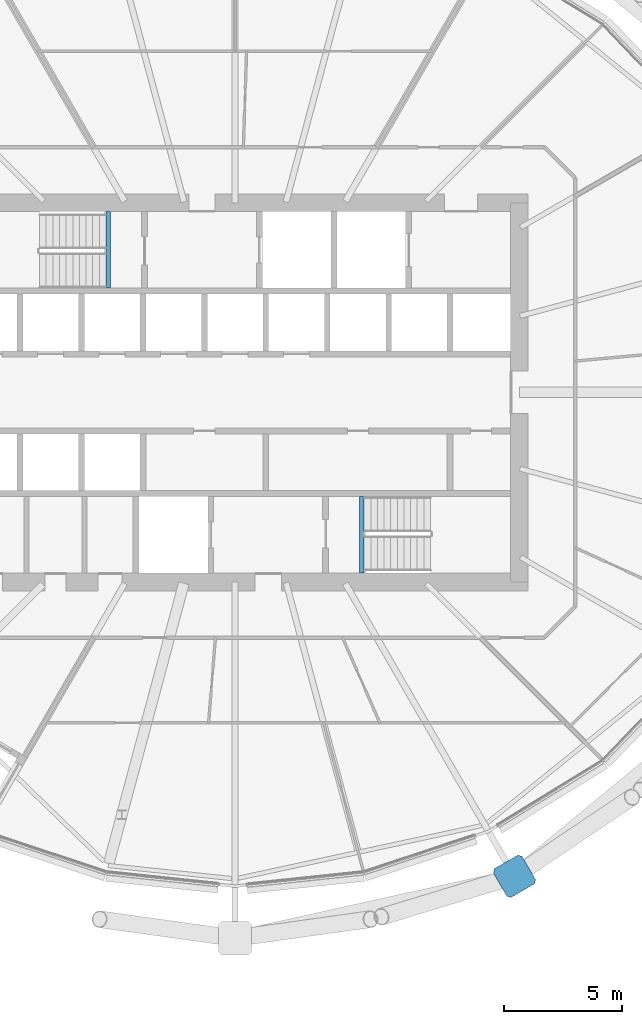
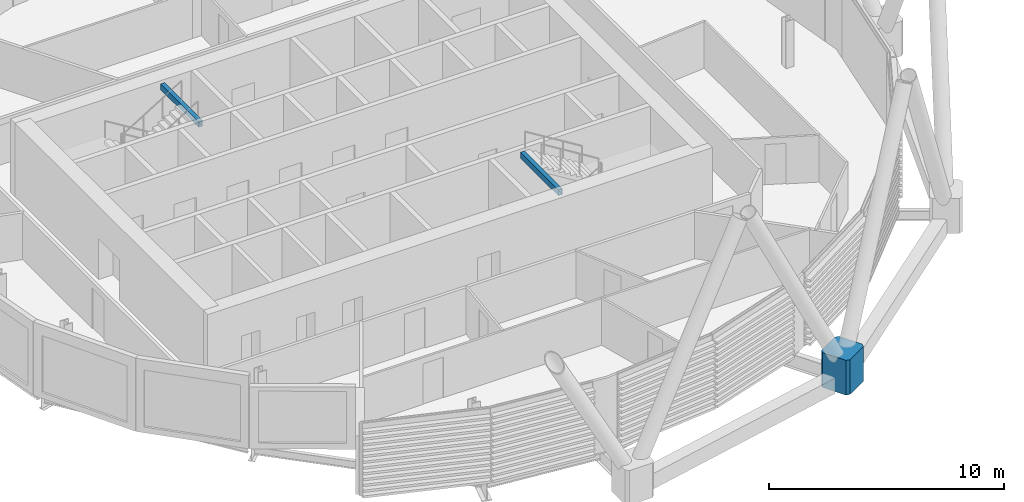
# One storey, part 6 of 38: 2 beams, 1 member.
"""IFC4 building model written with IfcOpenShell, lengths in metres."""

from ifc_helpers import new_model, si_unit, direction, frame, origin, origin_2d, place, context, subcontext, project, spatial, polyline, hollow_rectangle, outline, extrude, material, material_profile, profile_set, type_object, element, save


model = new_model("IFC4")

# Units and contexts
model_context = context("Model", 3, precision=1e-05, world=origin(), true_north=direction((0.0, 1.0)))
body_context = subcontext(model_context, "Body", "Model", "MODEL_VIEW")
ifc_project = project(units=[si_unit("LENGTHUNIT", "METRE"), si_unit("AREAUNIT", "SQUARE_METRE"), si_unit("VOLUMEUNIT", "CUBIC_METRE"), si_unit("PLANEANGLEUNIT", "RADIAN"), si_unit("MASSUNIT", "GRAM", prefix="KILO")], contexts=[model_context])

# Site, building, storey
site_placement = place(None, origin())
site = spatial("IfcSite", under=ifc_project, at=site_placement, CompositionType="ELEMENT")
building_placement = place(site_placement, origin())
building = spatial("IfcBuilding", under=site, at=building_placement, Name="Rimbun Link Towers", CompositionType="ELEMENT")
storey_placement = place(building_placement, frame((0.0, 0.0, 104.39990234375)))
storey = spatial("IfcBuildingStorey", under=building, at=storey_placement, Name="L25", CompositionType="ELEMENT", Elevation=104.39990234375)

# Member
ifc_material_1 = material(Name="Cast steel G20Mn5+QT, Rp0.2 300 MPa", Category="steel")
ifc_material_profile_1 = material_profile(ifc_material_1, outline(polyline([(0.699951171875, -0.570068359375), (0.699951171875, 0.570068359375), (0.570068359375, 0.699951171875), (-0.570068359375, 0.699951171875), (-0.699951171875, 0.570068359375), (-0.699951171875, -0.570068359375), (-0.570068359375, -0.699951171875), (0.570068359375, -0.699951171875), (0.699951171875, -0.570068359375)])), Name="NODE 1400x1400")
ifc_profile_set_1 = profile_set([ifc_material_profile_1], Name="Cast steel G20Mn5+QT, Rp0.2 300 MPa")
member_type = type_object("IfcMemberType", Name="Diagrid node cast 1400", PredefinedType="USERDEFINED", material=ifc_profile_set_1)
member_placement = place(storey_placement, frame((-19.95703125, -20.426025390625, -0.89990234375), z_axis=(0.0, 0.0, 1.0), x_axis=(0.5, -0.866025403784, 0.0)))
element("IfcMember", 1, at=member_placement, inside=storey, type_object=member_type, Name="Diagrid node L25 20", ObjectType="Diagrid node", PredefinedType="USERDEFINED", context=body_context, shape_type="SweptSolid", body=[
    extrude(outline(polyline([(0.699951171875, -0.570068359375), (0.699951171875, 0.570068359375), (0.570068359375, 0.699951171875), (-0.570068359375, 0.699951171875), (-0.699951171875, 0.570068359375), (-0.699951171875, -0.570068359375), (-0.570068359375, -0.699951171875), (0.570068359375, -0.699951171875), (0.699951171875, -0.570068359375)])), origin(), (0.0, 0.0, 1.0), 1.800048828125),
])

# Beams
ifc_material_2 = material(Name="Steel S355J2", Category="steel")
ifc_material_profile_2 = material_profile(ifc_material_2, hollow_rectangle(XDim=0.199951171875, YDim=0.300048828125, WallThickness=0.011962890625, at=origin_2d()), Name="BOX 300x200x12")
ifc_profile_set_2 = profile_set([ifc_material_profile_2], Name="Steel S355J2")
beam_type = type_object("IfcBeamType", Name="Stair trimmer beam BOX 300x200x12", PredefinedType="BEAM", material=ifc_profile_set_2)
for number, where, z_axis, x_axis, name in (
    (2, (-37.10009765625, 7.625, 3.489990234375), (0.0, -1.0, 0.0), (1.0, 0.0, 0.0), "L25 ST1 stair beam 1"),
    (3, (-26.39990234375, -7.625, 3.489990234375), (0.0, 1.0, 0.0), (-1.0, 0.0, 0.0), "L25 ST2 stair beam 1"),
):
    element("IfcBeam", number, at=place(storey_placement, frame(where, z_axis=z_axis, x_axis=x_axis)), inside=storey, type_object=beam_type, Name=name, PredefinedType="BEAM", context=body_context, shape_type="SweptSolid", body=[
        extrude(hollow_rectangle(XDim=0.199951171875, YDim=0.300048828125, WallThickness=0.011962890625, at=origin_2d()), origin(), (0.0, 0.0, 1.0), 3.22509765625),
    ])

save(model, "model.ifc")
